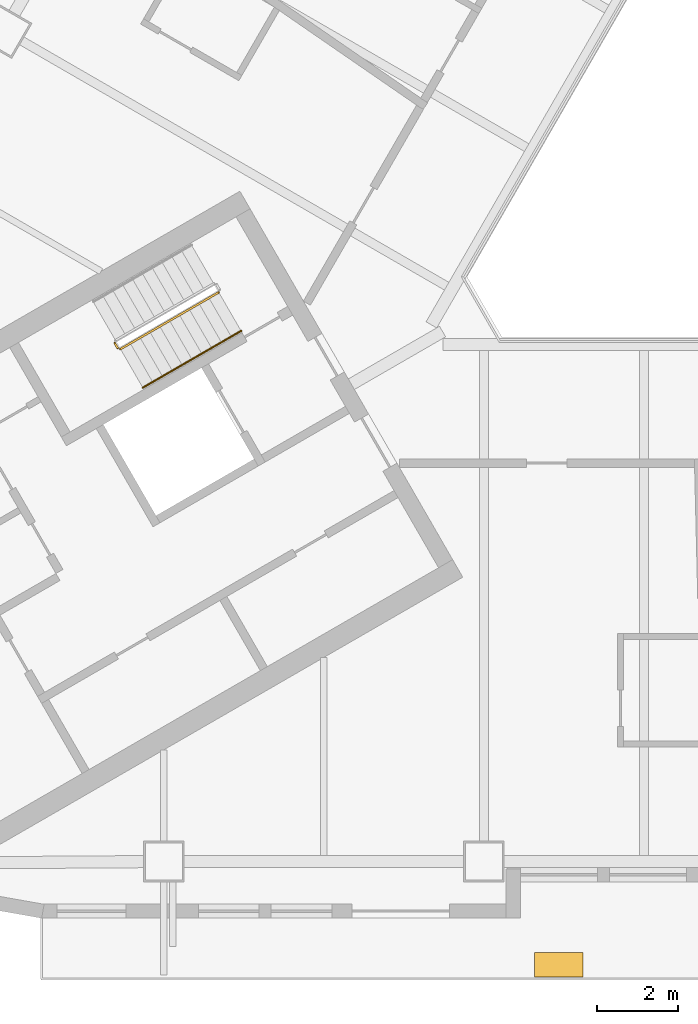
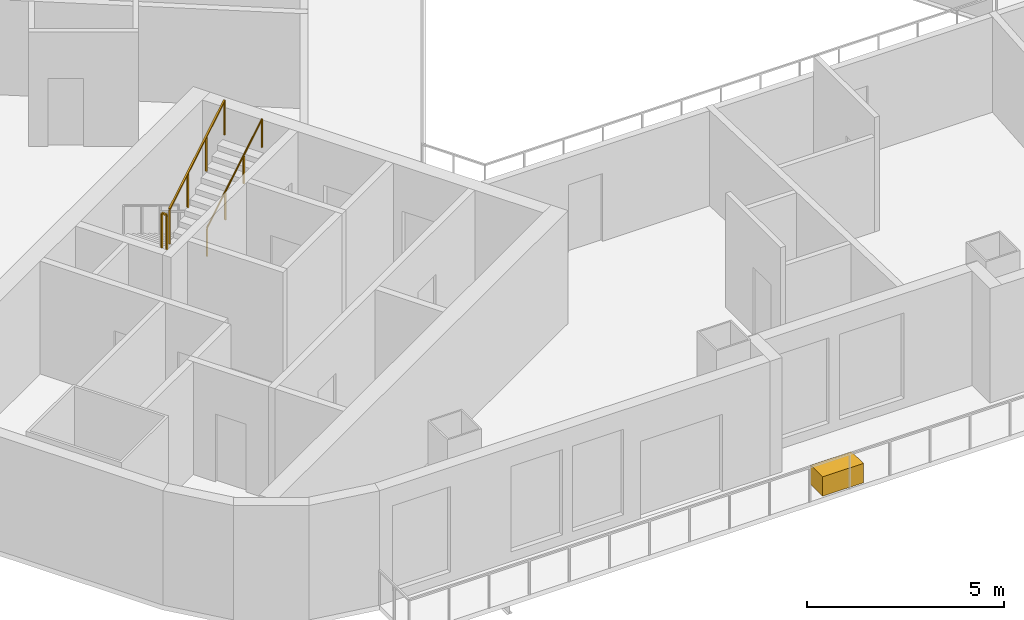
# One storey, part 8 of 13: 3 railings, 1 covering.
"""IFC4 building model written with IfcOpenShell, lengths in metres."""

from ifc_helpers import new_model, si_unit, direction, frame, origin, origin_2d, place, context, subcontext, project, spatial, rectangle, circle, extrude, material, type_object, element, save


model = new_model("IFC4")

# Units and contexts
model_context = context("Model", 3, precision=1e-05, world=origin(), true_north=direction((0.0, 1.0)))
body_context = subcontext(model_context, "Body", "Model", "MODEL_VIEW")
ifc_project = project(units=[si_unit("LENGTHUNIT", "METRE"), si_unit("AREAUNIT", "SQUARE_METRE"), si_unit("VOLUMEUNIT", "CUBIC_METRE"), si_unit("PLANEANGLEUNIT", "RADIAN"), si_unit("MASSUNIT", "GRAM", prefix="KILO")], contexts=[model_context])

# Site, building, storey
site_placement = place(None, origin())
site = spatial("IfcSite", under=ifc_project, at=site_placement, CompositionType="ELEMENT")
building_placement = place(site_placement, origin())
building = spatial("IfcBuilding", under=site, at=building_placement, Name="Apuvela Tower Hotel", CompositionType="ELEMENT")
storey_placement = place(building_placement, frame((0.0, 0.0, 79.800048828125)))
storey = spatial("IfcBuildingStorey", under=building, at=storey_placement, Name="L17", CompositionType="ELEMENT", Elevation=79.800048828125)

# Railings
ifc_material_1 = material(Name="Steel S275 balustrade", Category="steel")
railing_type_1 = type_object("IfcRailingType", Name="COR-GUARD-1100", PredefinedType="GUARDRAIL", material=ifc_material_1)
railing_1_placement = place(storey_placement, frame((-17.01220703125, -5.43408203125, 1.849853515625)))
element("IfcRailing", 1, at=railing_1_placement, inside=storey, type_object=railing_type_1, Name="L17 ST2 stair guard 2", PredefinedType="GUARDRAIL", context=body_context, shape_type="SweptSolid", body=[
    extrude(rectangle(XDim=0.048095703125, YDim=0.048095703125, at=origin_2d()), frame((0.0, 0.0, 1.076171875), z_axis=(0.499816412211, -0.866131372301, 0.0), x_axis=(0.866131372301, 0.499816412211, 0.0)), (0.0, 0.0, 1.0), 0.14990234375),
    extrude(rectangle(XDim=0.0419921875, YDim=0.0419921875, at=origin_2d()), origin(), (0.0, 0.0, 1.0), 1.052001953125),
    extrude(rectangle(XDim=0.0419921875, YDim=0.0419921875, at=origin_2d()), frame((0.074951171875, -0.1298828125, 0.0)), (0.0, 0.0, 1.0), 1.052001953125),
])
railing_2_placement = place(storey_placement, frame((-16.868896484375, -5.582275390625, 2.01806640625)))
element("IfcRailing", 2, at=railing_2_placement, inside=storey, type_object=railing_type_1, Name="L17 ST2 stair guard 3", PredefinedType="GUARDRAIL", context=body_context, shape_type="SweptSolid", body=[
    extrude(rectangle(XDim=0.048095703125, YDim=0.048095703125, at=origin_2d()), frame((0.0, 0.0, 1.076171875), z_axis=(0.742390482028, 0.42860119049, 0.514934356695), x_axis=(-0.49998411664, 0.866034573852, 0.0)), (0.0, 0.0, 1.0), 3.26611328125),
    extrude(rectangle(XDim=0.0419921875, YDim=0.0419921875, at=origin_2d()), origin(), (0.0, 0.0, 1.0), 1.052001953125),
    extrude(rectangle(XDim=0.0419921875, YDim=0.0419921875, at=origin_2d()), frame((0.808349609375, 0.466552734375, 0.560546875)), (0.0, 0.0, 1.0), 1.052001953125),
    extrude(rectangle(XDim=0.0419921875, YDim=0.0419921875, at=origin_2d()), frame((1.616455078125, 0.933349609375, 1.121337890625)), (0.0, 0.0, 1.0), 1.052001953125),
    extrude(rectangle(XDim=0.0419921875, YDim=0.0419921875, at=origin_2d()), frame((2.4248046875, 1.39990234375, 1.681884765625)), (0.0, 0.0, 1.0), 1.052001953125),
])
ifc_material_2 = material(Name="Stainless steel 316 handrail", Category="steel")
railing_type_2 = type_object("IfcRailingType", Name="COR-HANDRAIL-900", PredefinedType="HANDRAIL", material=ifc_material_2)
railing_3_placement = place(storey_placement, frame((-16.31884765625, -6.534912109375, 2.01806640625)))
element("IfcRailing", 3, at=railing_3_placement, inside=storey, type_object=railing_type_2, Name="L17 ST2 stair handrail 2", PredefinedType="HANDRAIL", context=body_context, shape_type="SweptSolid", body=[
    extrude(circle(Radius=0.02392578125, at=origin_2d()), frame((0.0, 0.0, 0.8759765625), z_axis=(0.742390482028, 0.42860119049, 0.514934356695), x_axis=(-0.49998411664, 0.866034573852, 0.0)), (0.0, 0.0, 1.0), 3.26611328125),
    extrude(rectangle(XDim=0.0419921875, YDim=0.0419921875, at=origin_2d()), origin(), (0.0, 0.0, 1.0), 0.851806640625),
    extrude(rectangle(XDim=0.0419921875, YDim=0.0419921875, at=origin_2d()), frame((0.808349609375, 0.466552734375, 0.560546875)), (0.0, 0.0, 1.0), 0.851806640625),
    extrude(rectangle(XDim=0.0419921875, YDim=0.0419921875, at=origin_2d()), frame((1.616455078125, 0.933349609375, 1.121337890625)), (0.0, 0.0, 1.0), 0.851806640625),
    extrude(rectangle(XDim=0.0419921875, YDim=0.0419921875, at=origin_2d()), frame((2.4248046875, 1.39990234375, 1.681884765625)), (0.0, 0.0, 1.0), 0.851806640625),
])

# Covering
ifc_material_3 = material(Name="Planting substrate and soil, planted")
covering_type = type_object("IfcCoveringType", Name="ENV-PLANTER-1200x600", PredefinedType="USERDEFINED", material=ifc_material_3)
covering_placement = place(storey_placement, frame((-6.049560546875, -20.780029296875, 0.0), z_axis=(0.0, 0.0, 1.0), x_axis=(1.0, 0.0, 0.0)))
element("IfcCovering", 4, at=covering_placement, inside=storey, type_object=covering_type, Name="Planter S1", ObjectType="PLANTER", PredefinedType="USERDEFINED", context=body_context, shape_type="SweptSolid", body=[
    extrude(rectangle(XDim=1.199951171875, YDim=0.60009765625, at=origin_2d()), origin(), (0.0, 0.0, 1.0), 0.60009765625),
])

save(model, "model.ifc")
